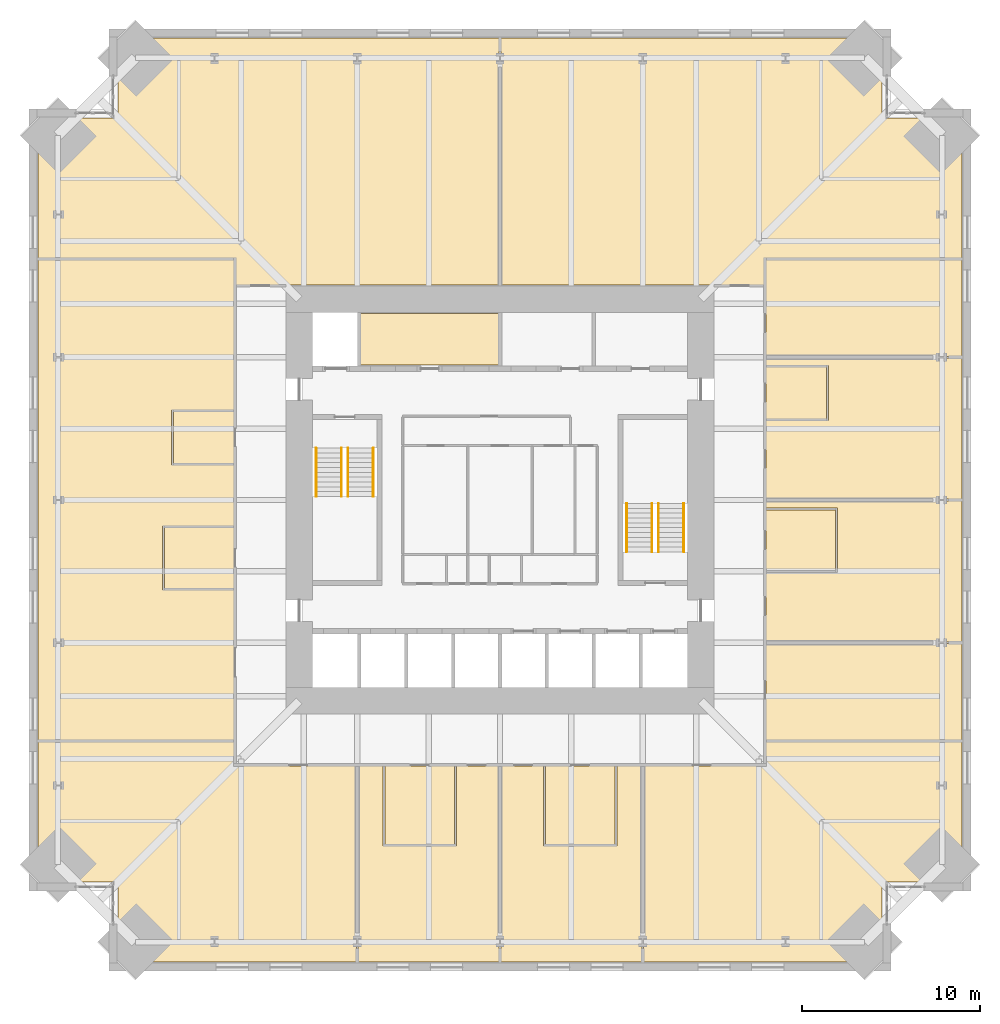
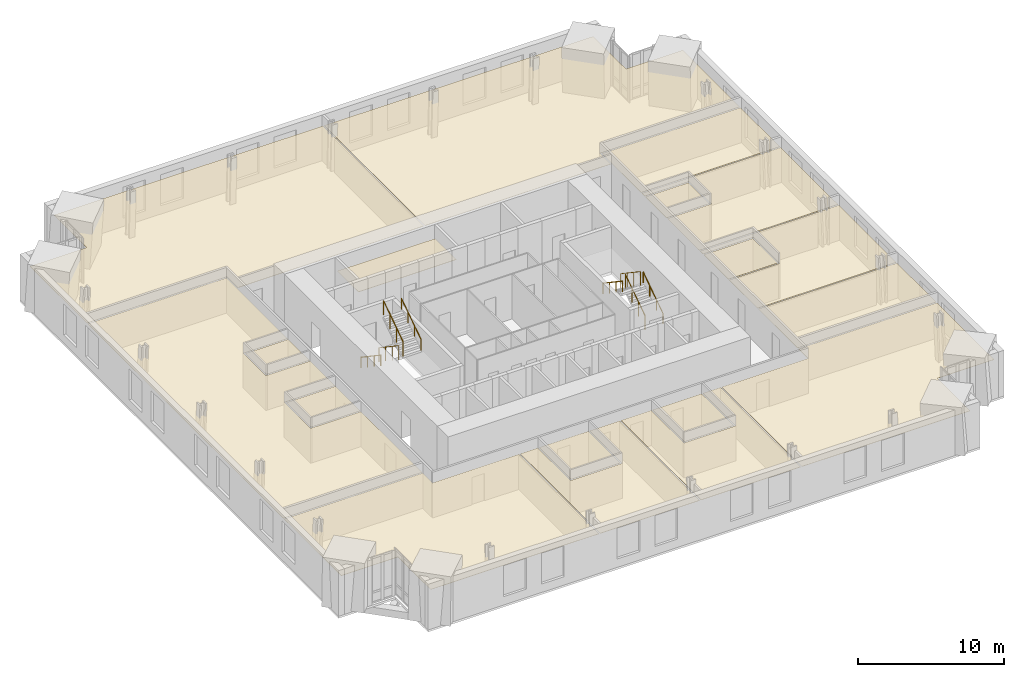
# One storey, part 18 of 18: 18 coverings, 8 railings.
"""IFC4 building model written with IfcOpenShell, lengths in metres."""

from ifc_helpers import new_model, si_unit, direction, frame, origin, origin_2d, place, context, subcontext, project, spatial, polyline, circle, outline, extrude, material, layer, layer_set, type_object, element, save


model = new_model("IFC4")

# Units and contexts
model_context = context("Model", 3, precision=1e-05, world=origin(), true_north=direction((0.0, 1.0)))
body_context = subcontext(model_context, "Body", "Model", "MODEL_VIEW")
ifc_project = project(units=[si_unit("LENGTHUNIT", "METRE"), si_unit("AREAUNIT", "SQUARE_METRE"), si_unit("VOLUMEUNIT", "CUBIC_METRE"), si_unit("PLANEANGLEUNIT", "RADIAN"), si_unit("MASSUNIT", "GRAM", prefix="KILO")], contexts=[model_context])

# Site, building, storey
site_placement = place(None, origin())
site = spatial("IfcSite", under=ifc_project, at=site_placement, CompositionType="ELEMENT")
building_placement = place(site_placement, origin())
building = spatial("IfcBuilding", under=site, at=building_placement, Name="Peilmerk Tower", CompositionType="ELEMENT")
storey_placement = place(building_placement, frame((0.0, 0.0, 151.800048828125)))
storey = spatial("IfcBuildingStorey", under=building, at=storey_placement, Name="L31", CompositionType="ELEMENT", Elevation=151.800048828125)

# Coverings
ifc_material_1 = material(Name="Mineral fibre ceiling tiles", Category="mineral")
ifc_layer = layer(ifc_material_1, 0.02490234375)
ifc_layer_set = layer_set([ifc_layer], Name="Mineral fibre ceiling tiles")
covering_type = type_object("IfcCoveringType", Name="CL1 25 suspended ceiling", PredefinedType="CEILING", material=ifc_layer_set)
covering_1_placement = place(storey_placement, frame((0.0, 0.0, 2.905029296875)))
element("IfcCovering", 1, at=covering_1_placement, inside=storey, type_object=covering_type, Name="Suspended ceiling Open workspace", PredefinedType="CEILING", context=body_context, shape_type="SweptSolid", body=[
    extrude(outline(polyline([(-25.89990234375, 21.39990234375), (-25.89990234375, 13.550048828125), (-14.800048828125, 13.550048828125), (-14.800048828125, 12.050048828125), (-0.050048828125, 12.050048828125), (-0.050048828125, 25.89990234375), (-21.39990234375, 25.89990234375), (-21.39990234375, 21.39990234375), (-25.89990234375, 21.39990234375)])), origin(), (0.0, 0.0, 1.0), 0.02490234375),
])
covering_2_placement = place(storey_placement, frame((0.0, 0.0, 2.905029296875)))
element("IfcCovering", 2, at=covering_2_placement, inside=storey, type_object=covering_type, Name="Suspended ceiling Project room", PredefinedType="CEILING", context=body_context, shape_type="SweptSolid", body=[
    extrude(outline(polyline([(21.39990234375, 25.89990234375), (0.050048828125, 25.89990234375), (0.050048828125, 12.050048828125), (14.800048828125, 12.050048828125), (14.800048828125, 13.550048828125), (25.89990234375, 13.550048828125), (25.89990234375, 21.39990234375), (21.39990234375, 21.39990234375), (21.39990234375, 25.89990234375)])), origin(), (0.0, 0.0, 1.0), 0.02490234375),
])
covering_3_placement = place(storey_placement, frame((0.0, 0.0, 2.905029296875)))
element("IfcCovering", 3, at=covering_3_placement, inside=storey, type_object=covering_type, Name="Suspended ceiling Office", PredefinedType="CEILING", context=body_context, shape_type="SweptSolid", body=[
    extrude(outline(polyline([(-21.39990234375, -25.89990234375), (-8.050048828125, -25.89990234375), (-8.050048828125, -14.89990234375), (-14.89990234375, -14.89990234375), (-14.89990234375, -13.550048828125), (-25.89990234375, -13.550048828125), (-25.89990234375, -21.39990234375), (-21.39990234375, -21.39990234375), (-21.39990234375, -25.89990234375)])), origin(), (0.0, 0.0, 1.0), 0.02490234375),
])
covering_4_placement = place(storey_placement, frame((0.0, 0.0, 2.905029296875)))
element("IfcCovering", 4, at=covering_4_placement, inside=storey, type_object=covering_type, Name="Suspended ceiling Office", PredefinedType="CEILING", context=body_context, shape_type="SweptSolid", body=[
    extrude(outline(polyline([(-7.949951171875, -14.89990234375), (-7.949951171875, -25.89990234375), (-0.050048828125, -25.89990234375), (-0.050048828125, -14.89990234375), (-2.449951171875, -14.89990234375), (-2.449951171875, -19.39990234375), (-6.550048828125, -19.39990234375), (-6.550048828125, -14.89990234375), (-7.949951171875, -14.89990234375)])), origin(), (0.0, 0.0, 1.0), 0.02490234375),
])
covering_5_placement = place(storey_placement, frame((0.0, 0.0, 2.905029296875)))
element("IfcCovering", 5, at=covering_5_placement, inside=storey, type_object=covering_type, Name="Suspended ceiling Project room", PredefinedType="CEILING", context=body_context, shape_type="SweptSolid", body=[
    extrude(outline(polyline([(0.050048828125, -14.89990234375), (0.050048828125, -25.89990234375), (7.949951171875, -25.89990234375), (7.949951171875, -14.89990234375), (6.550048828125, -14.89990234375), (6.550048828125, -19.39990234375), (2.449951171875, -19.39990234375), (2.449951171875, -14.89990234375), (0.050048828125, -14.89990234375)])), origin(), (0.0, 0.0, 1.0), 0.02490234375),
])
covering_6_placement = place(storey_placement, frame((0.0, 0.0, 2.905029296875)))
element("IfcCovering", 6, at=covering_6_placement, inside=storey, type_object=covering_type, Name="Suspended ceiling Office", PredefinedType="CEILING", context=body_context, shape_type="SweptSolid", body=[
    extrude(outline(polyline([(8.050048828125, -25.89990234375), (21.39990234375, -25.89990234375), (21.39990234375, -21.39990234375), (25.89990234375, -21.39990234375), (25.89990234375, -13.550048828125), (14.89990234375, -13.550048828125), (14.89990234375, -14.89990234375), (8.050048828125, -14.89990234375), (8.050048828125, -25.89990234375)])), origin(), (0.0, 0.0, 1.0), 0.02490234375),
])
covering_7_placement = place(storey_placement, frame((0.0, 0.0, 2.905029296875)))
element("IfcCovering", 7, at=covering_7_placement, inside=storey, type_object=covering_type, Name="Suspended ceiling Meeting room", PredefinedType="CEILING", context=body_context, shape_type="SweptSolid", body=[
    extrude(outline(polyline([(-2.550048828125, -19.300048828125), (-2.550048828125, -14.89990234375), (-6.449951171875, -14.89990234375), (-6.449951171875, -19.300048828125), (-2.550048828125, -19.300048828125)])), origin(), (0.0, 0.0, 1.0), 0.02490234375),
])
covering_8_placement = place(storey_placement, frame((0.0, 0.0, 2.905029296875)))
element("IfcCovering", 8, at=covering_8_placement, inside=storey, type_object=covering_type, Name="Suspended ceiling Meeting room", PredefinedType="CEILING", context=body_context, shape_type="SweptSolid", body=[
    extrude(outline(polyline([(6.449951171875, -19.300048828125), (6.449951171875, -14.89990234375), (2.550048828125, -14.89990234375), (2.550048828125, -19.300048828125), (6.449951171875, -19.300048828125)])), origin(), (0.0, 0.0, 1.0), 0.02490234375),
])
covering_9_placement = place(storey_placement, frame((0.0, 0.0, 2.905029296875)))
element("IfcCovering", 9, at=covering_9_placement, inside=storey, type_object=covering_type, Name="Suspended ceiling Quiet room", PredefinedType="CEILING", context=body_context, shape_type="SweptSolid", body=[
    extrude(outline(polyline([(25.89990234375, -13.449951171875), (25.89990234375, -8.050048828125), (14.89990234375, -8.050048828125), (14.89990234375, -13.449951171875), (25.89990234375, -13.449951171875)])), origin(), (0.0, 0.0, 1.0), 0.02490234375),
])
covering_10_placement = place(storey_placement, frame((0.0, 0.0, 2.905029296875)))
element("IfcCovering", 10, at=covering_10_placement, inside=storey, type_object=covering_type, Name="Suspended ceiling Office", PredefinedType="CEILING", context=body_context, shape_type="SweptSolid", body=[
    extrude(outline(polyline([(14.89990234375, -7.949951171875), (25.89990234375, -7.949951171875), (25.89990234375, -0.050048828125), (14.89990234375, -0.050048828125), (14.89990234375, -0.449951171875), (18.89990234375, -0.449951171875), (18.89990234375, -4.050048828125), (14.89990234375, -4.050048828125), (14.89990234375, -7.949951171875)])), origin(), (0.0, 0.0, 1.0), 0.02490234375),
])
covering_11_placement = place(storey_placement, frame((0.0, 0.0, 2.905029296875)))
element("IfcCovering", 11, at=covering_11_placement, inside=storey, type_object=covering_type, Name="Suspended ceiling Office", PredefinedType="CEILING", context=body_context, shape_type="SweptSolid", body=[
    extrude(outline(polyline([(14.89990234375, 0.050048828125), (25.89990234375, 0.050048828125), (25.89990234375, 7.949951171875), (14.89990234375, 7.949951171875), (14.89990234375, 7.550048828125), (18.39990234375, 7.550048828125), (18.39990234375, 4.449951171875), (14.89990234375, 4.449951171875), (14.89990234375, 0.050048828125)])), origin(), (0.0, 0.0, 1.0), 0.02490234375),
])
covering_12_placement = place(storey_placement, frame((0.0, 0.0, 2.905029296875)))
element("IfcCovering", 12, at=covering_12_placement, inside=storey, type_object=covering_type, Name="Suspended ceiling Wellness room", PredefinedType="CEILING", context=body_context, shape_type="SweptSolid", body=[
    extrude(outline(polyline([(25.89990234375, 8.050048828125), (25.89990234375, 13.449951171875), (14.89990234375, 13.449951171875), (14.89990234375, 8.050048828125), (25.89990234375, 8.050048828125)])), origin(), (0.0, 0.0, 1.0), 0.02490234375),
])
covering_13_placement = place(storey_placement, frame((0.0, 0.0, 2.905029296875)))
element("IfcCovering", 13, at=covering_13_placement, inside=storey, type_object=covering_type, Name="Suspended ceiling Focus room", PredefinedType="CEILING", context=body_context, shape_type="SweptSolid", body=[
    extrude(outline(polyline([(18.300048828125, 4.550048828125), (18.300048828125, 7.449951171875), (14.89990234375, 7.449951171875), (14.89990234375, 4.550048828125), (18.300048828125, 4.550048828125)])), origin(), (0.0, 0.0, 1.0), 0.02490234375),
])
covering_14_placement = place(storey_placement, frame((0.0, 0.0, 2.905029296875)))
element("IfcCovering", 14, at=covering_14_placement, inside=storey, type_object=covering_type, Name="Suspended ceiling Meeting room", PredefinedType="CEILING", context=body_context, shape_type="SweptSolid", body=[
    extrude(outline(polyline([(18.800048828125, -3.949951171875), (18.800048828125, -0.550048828125), (14.89990234375, -0.550048828125), (14.89990234375, -3.949951171875), (18.800048828125, -3.949951171875)])), origin(), (0.0, 0.0, 1.0), 0.02490234375),
])
covering_15_placement = place(storey_placement, frame((0.0, 0.0, 2.905029296875)))
element("IfcCovering", 15, at=covering_15_placement, inside=storey, type_object=covering_type, Name="Suspended ceiling Open workspace", PredefinedType="CEILING", context=body_context, shape_type="SweptSolid", body=[
    extrude(outline(polyline([(-14.89990234375, 13.449951171875), (-25.89990234375, 13.449951171875), (-25.89990234375, -13.449951171875), (-14.89990234375, -13.449951171875), (-14.89990234375, -5.050048828125), (-18.89990234375, -5.050048828125), (-18.89990234375, -1.449951171875), (-14.89990234375, -1.449951171875), (-14.89990234375, 1.949951171875), (-18.39990234375, 1.949951171875), (-18.39990234375, 5.050048828125), (-14.89990234375, 5.050048828125), (-14.89990234375, 13.449951171875)])), origin(), (0.0, 0.0, 1.0), 0.02490234375),
])
covering_16_placement = place(storey_placement, frame((0.0, 0.0, 2.905029296875)))
element("IfcCovering", 16, at=covering_16_placement, inside=storey, type_object=covering_type, Name="Suspended ceiling Pantry", PredefinedType="CEILING", context=body_context, shape_type="SweptSolid", body=[
    extrude(outline(polyline([(-14.89990234375, -4.949951171875), (-14.89990234375, -1.550048828125), (-18.800048828125, -1.550048828125), (-18.800048828125, -4.949951171875), (-14.89990234375, -4.949951171875)])), origin(), (0.0, 0.0, 1.0), 0.02490234375),
])
covering_17_placement = place(storey_placement, frame((0.0, 0.0, 2.905029296875)))
element("IfcCovering", 17, at=covering_17_placement, inside=storey, type_object=covering_type, Name="Suspended ceiling Focus room", PredefinedType="CEILING", context=body_context, shape_type="SweptSolid", body=[
    extrude(outline(polyline([(-14.89990234375, 2.050048828125), (-14.89990234375, 4.949951171875), (-18.300048828125, 4.949951171875), (-18.300048828125, 2.050048828125), (-14.89990234375, 2.050048828125)])), origin(), (0.0, 0.0, 1.0), 0.02490234375),
])
covering_18_placement = place(storey_placement, frame((0.0, 0.0, 2.824951171875)))
element("IfcCovering", 18, at=covering_18_placement, inside=storey, type_object=covering_type, Name="Suspended ceiling Back-of-house office", PredefinedType="CEILING", context=body_context, shape_type="SweptSolid", body=[
    extrude(outline(polyline([(-7.823974609375, 7.551025390625), (-0.051025390625, 7.551025390625), (-0.051025390625, 10.448974609375), (-7.823974609375, 10.448974609375), (-7.823974609375, 7.551025390625)])), origin(), (0.0, 0.0, 1.0), 0.02490234375),
])

# Railings
ifc_material_2 = material(Name="Steel flat bar balustrade", Category="steel")
railing_type_1 = type_object("IfcRailingType", Name="GR1 1200 stair guard", PredefinedType="GUARDRAIL", material=ifc_material_2)
railing_1_placement = place(storey_placement, frame((-8.8798828125, 2.89990234375, 0.181884765625)))
element("IfcRailing", 19, at=railing_1_placement, inside=storey, type_object=railing_type_1, Name="Guard stair 1 L31", PredefinedType="GUARDRAIL", context=body_context, shape_type="SweptSolid", body=[
    extrude(circle(Radius=0.02392578125, at=origin_2d()), frame((0.0, 0.0, 1.17578125), z_axis=(0.0, -0.829468130872, 0.55855404382), x_axis=(1.0, 0.0, 0.0)), (0.0, 0.0, 1.0), 3.255126953125),
    extrude(circle(Radius=0.02099609375, at=origin_2d()), origin(), (0.0, 0.0, 1.0), 1.15185546875),
    extrude(circle(Radius=0.02099609375, at=origin_2d()), frame((0.0, -0.89990234375, 0.60595703125)), (0.0, 0.0, 1.0), 1.15185546875),
    extrude(circle(Radius=0.02099609375, at=origin_2d()), frame((0.0, -1.800048828125, 1.212158203125)), (0.0, 0.0, 1.0), 1.15185546875),
    extrude(circle(Radius=0.02099609375, at=origin_2d()), frame((0.0, -2.699951171875, 1.818115234375)), (0.0, 0.0, 1.0), 1.15185546875),
])
for number, where, name in (
    (20, (-8.52001953125, 0.199951171875, 2.181884765625), "Guard stair 1 L31"),
    (21, (8.8798828125, -2.89990234375, 0.181884765625), "Guard stair 2 L31"),
):
    element("IfcRailing", number, at=place(storey_placement, frame(where)), inside=storey, type_object=railing_type_1, Name=name, PredefinedType="GUARDRAIL", context=body_context, shape_type="SweptSolid", body=[
        extrude(circle(Radius=0.02392578125, at=origin_2d()), frame((0.0, 0.0, 1.17578125), z_axis=(0.0, 0.829468130872, 0.55855404382), x_axis=(-1.0, 0.0, 0.0)), (0.0, 0.0, 1.0), 3.255126953125),
        extrude(circle(Radius=0.02099609375, at=origin_2d()), origin(), (0.0, 0.0, 1.0), 1.15185546875),
        extrude(circle(Radius=0.02099609375, at=origin_2d()), frame((0.0, 0.89990234375, 0.60595703125)), (0.0, 0.0, 1.0), 1.15185546875),
        extrude(circle(Radius=0.02099609375, at=origin_2d()), frame((0.0, 1.800048828125, 1.212158203125)), (0.0, 0.0, 1.0), 1.15185546875),
        extrude(circle(Radius=0.02099609375, at=origin_2d()), frame((0.0, 2.699951171875, 1.818115234375)), (0.0, 0.0, 1.0), 1.15185546875),
    ])
railing_2_placement = place(storey_placement, frame((8.52001953125, -0.199951171875, 2.181884765625)))
element("IfcRailing", 22, at=railing_2_placement, inside=storey, type_object=railing_type_1, Name="Guard stair 2 L31", PredefinedType="GUARDRAIL", context=body_context, shape_type="SweptSolid", body=[
    extrude(circle(Radius=0.02392578125, at=origin_2d()), frame((0.0, 0.0, 1.17578125), z_axis=(0.0, -0.829468130872, 0.55855404382), x_axis=(1.0, 0.0, 0.0)), (0.0, 0.0, 1.0), 3.255126953125),
    extrude(circle(Radius=0.02099609375, at=origin_2d()), origin(), (0.0, 0.0, 1.0), 1.15185546875),
    extrude(circle(Radius=0.02099609375, at=origin_2d()), frame((0.0, -0.89990234375, 0.60595703125)), (0.0, 0.0, 1.0), 1.15185546875),
    extrude(circle(Radius=0.02099609375, at=origin_2d()), frame((0.0, -1.800048828125, 1.212158203125)), (0.0, 0.0, 1.0), 1.15185546875),
    extrude(circle(Radius=0.02099609375, at=origin_2d()), frame((0.0, -2.699951171875, 1.818115234375)), (0.0, 0.0, 1.0), 1.15185546875),
])
ifc_material_3 = material(Name="Stainless steel tube", Category="steel")
railing_type_2 = type_object("IfcRailingType", Name="HR1 900 stair handrail", PredefinedType="HANDRAIL", material=ifc_material_3)
railing_3_placement = place(storey_placement, frame((-10.300048828125, 2.89990234375, 0.181884765625)))
element("IfcRailing", 23, at=railing_3_placement, inside=storey, type_object=railing_type_2, Name="Handrail stair 1 L31", PredefinedType="HANDRAIL", context=body_context, shape_type="SweptSolid", body=[
    extrude(circle(Radius=0.02392578125, at=origin_2d()), frame((0.0, 0.0, 0.8759765625), z_axis=(0.0, -0.829468130872, 0.55855404382), x_axis=(1.0, 0.0, 0.0)), (0.0, 0.0, 1.0), 3.255126953125),
    extrude(circle(Radius=0.02099609375, at=origin_2d()), origin(), (0.0, 0.0, 1.0), 0.851806640625),
    extrude(circle(Radius=0.02099609375, at=origin_2d()), frame((0.0, -0.89990234375, 0.60595703125)), (0.0, 0.0, 1.0), 0.851806640625),
    extrude(circle(Radius=0.02099609375, at=origin_2d()), frame((0.0, -1.800048828125, 1.212158203125)), (0.0, 0.0, 1.0), 0.851806640625),
    extrude(circle(Radius=0.02099609375, at=origin_2d()), frame((0.0, -2.699951171875, 1.818115234375)), (0.0, 0.0, 1.0), 0.851806640625),
])
for number, where, name in (
    (24, (-7.10009765625, 0.199951171875, 2.181884765625), "Handrail stair 1 L31"),
    (25, (10.300048828125, -2.89990234375, 0.181884765625), "Handrail stair 2 L31"),
):
    element("IfcRailing", number, at=place(storey_placement, frame(where)), inside=storey, type_object=railing_type_2, Name=name, PredefinedType="HANDRAIL", context=body_context, shape_type="SweptSolid", body=[
        extrude(circle(Radius=0.02392578125, at=origin_2d()), frame((0.0, 0.0, 0.8759765625), z_axis=(0.0, 0.829468130872, 0.55855404382), x_axis=(-1.0, 0.0, 0.0)), (0.0, 0.0, 1.0), 3.255126953125),
        extrude(circle(Radius=0.02099609375, at=origin_2d()), origin(), (0.0, 0.0, 1.0), 0.851806640625),
        extrude(circle(Radius=0.02099609375, at=origin_2d()), frame((0.0, 0.89990234375, 0.60595703125)), (0.0, 0.0, 1.0), 0.851806640625),
        extrude(circle(Radius=0.02099609375, at=origin_2d()), frame((0.0, 1.800048828125, 1.212158203125)), (0.0, 0.0, 1.0), 0.851806640625),
        extrude(circle(Radius=0.02099609375, at=origin_2d()), frame((0.0, 2.699951171875, 1.818115234375)), (0.0, 0.0, 1.0), 0.851806640625),
    ])
railing_4_placement = place(storey_placement, frame((7.10009765625, -0.199951171875, 2.181884765625)))
element("IfcRailing", 26, at=railing_4_placement, inside=storey, type_object=railing_type_2, Name="Handrail stair 2 L31", PredefinedType="HANDRAIL", context=body_context, shape_type="SweptSolid", body=[
    extrude(circle(Radius=0.02392578125, at=origin_2d()), frame((0.0, 0.0, 0.8759765625), z_axis=(0.0, -0.829468130872, 0.55855404382), x_axis=(1.0, 0.0, 0.0)), (0.0, 0.0, 1.0), 3.255126953125),
    extrude(circle(Radius=0.02099609375, at=origin_2d()), origin(), (0.0, 0.0, 1.0), 0.851806640625),
    extrude(circle(Radius=0.02099609375, at=origin_2d()), frame((0.0, -0.89990234375, 0.60595703125)), (0.0, 0.0, 1.0), 0.851806640625),
    extrude(circle(Radius=0.02099609375, at=origin_2d()), frame((0.0, -1.800048828125, 1.212158203125)), (0.0, 0.0, 1.0), 0.851806640625),
    extrude(circle(Radius=0.02099609375, at=origin_2d()), frame((0.0, -2.699951171875, 1.818115234375)), (0.0, 0.0, 1.0), 0.851806640625),
])

save(model, "model.ifc")
